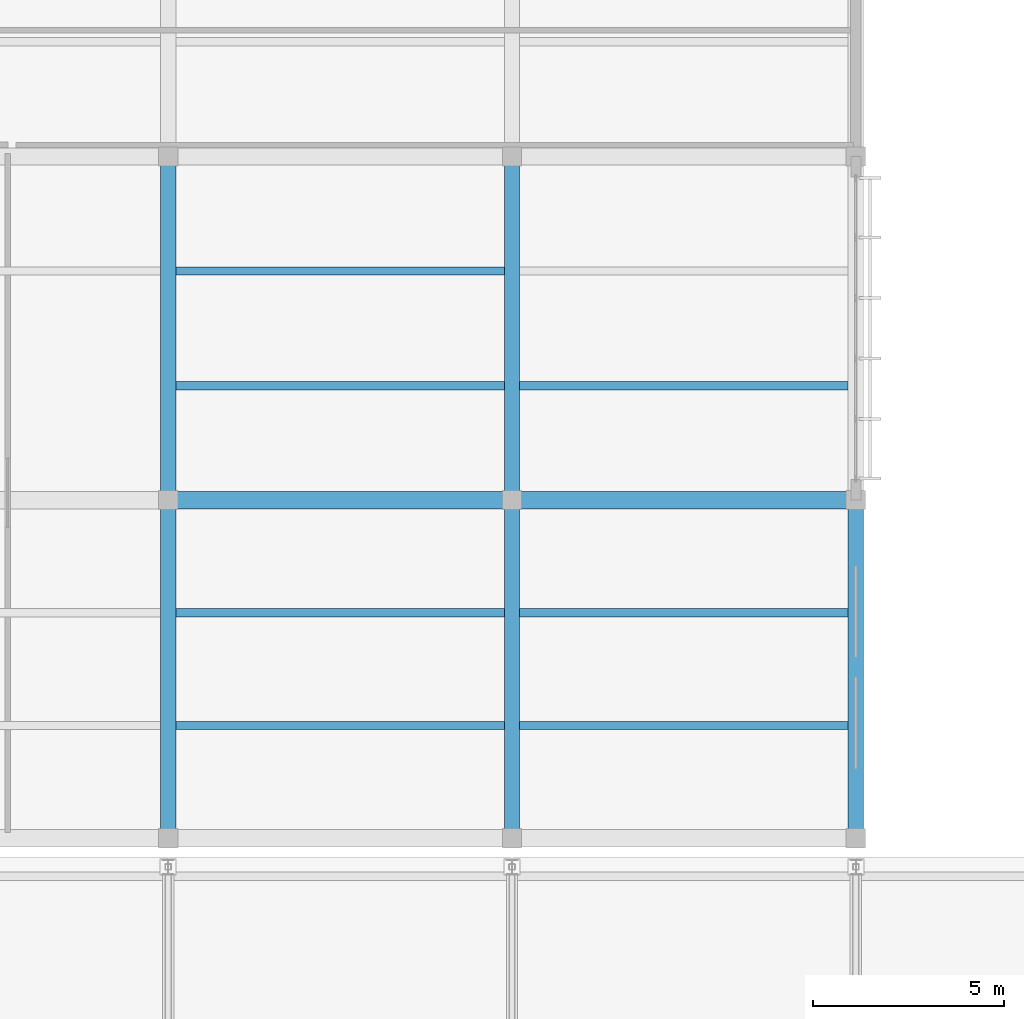
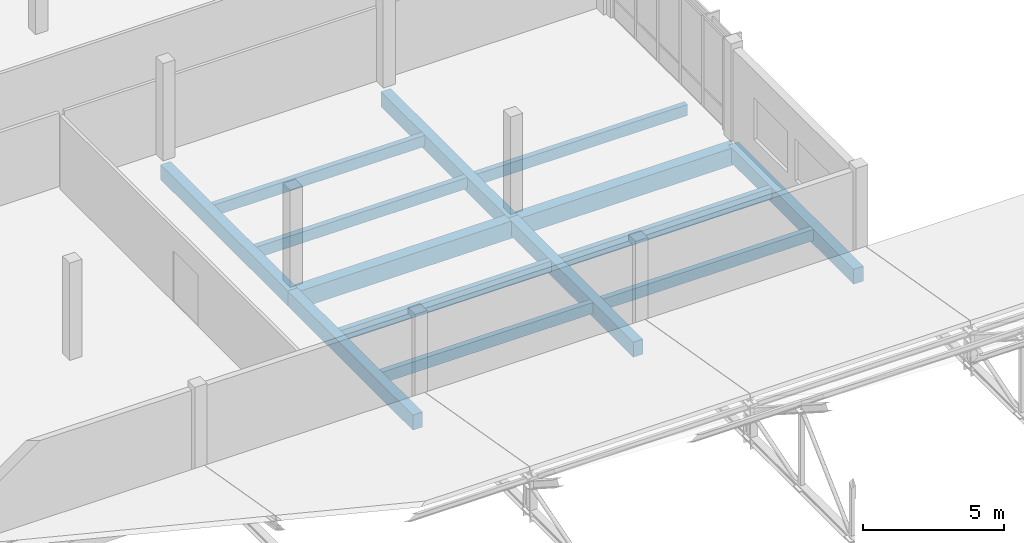
# One storey, part 120 of 182: 14 beams.
"""IFC4 building model written with IfcOpenShell, lengths in metres."""

from ifc_helpers import new_model, si_unit, direction, frame, origin, origin_2d, place, context, subcontext, project, spatial, rectangle, extrude, material, material_profile, profile_set, type_object, element, save


model = new_model("IFC4")

# Units and contexts
model_context = context("Model", 3, precision=1e-05, world=origin(), true_north=direction((0.0, 1.0)))
body_context = subcontext(model_context, "Body", "Model", "MODEL_VIEW")
ifc_project = project(units=[si_unit("LENGTHUNIT", "METRE"), si_unit("AREAUNIT", "SQUARE_METRE"), si_unit("VOLUMEUNIT", "CUBIC_METRE"), si_unit("PLANEANGLEUNIT", "RADIAN"), si_unit("MASSUNIT", "GRAM", prefix="KILO")], contexts=[model_context])

# Site, building, storey
site_placement = place(None, origin())
site = spatial("IfcSite", under=ifc_project, at=site_placement, CompositionType="ELEMENT")
building_placement = place(site_placement, origin())
building = spatial("IfcBuilding", under=site, at=building_placement, Name="Chiffa Square Polytechnic", CompositionType="ELEMENT")
storey_placement = place(building_placement, frame((0.0, 0.0, 9.60009765625)))
storey = spatial("IfcBuildingStorey", under=building, at=storey_placement, Name="L02", CompositionType="ELEMENT", Elevation=9.60009765625)

# Beams
ifc_material_1 = material(Name="Concrete C35/45", Category="concrete")
ifc_material_profile_1 = material_profile(ifc_material_1, rectangle(XDim=0.39990234375, YDim=0.64990234375, at=origin_2d()), Name="RC 400x650")
ifc_profile_set_1 = profile_set([ifc_material_profile_1], Name="Concrete C35/45")
beam_type_1 = type_object("IfcBeamType", Name="BM-RC-400X650", PredefinedType="BEAM", material=ifc_profile_set_1)
beam_1_placement = place(storey_placement, frame((130.199951171875, 94.949951171875, -0.64501953125), z_axis=(0.0, 1.0, 0.0), x_axis=(-1.0, 0.0, 0.0)))
element("IfcBeam", 1, at=beam_1_placement, inside=storey, type_object=beam_type_1, Name="Primary floor girder BM-V5-L02-Y-1302-0950", PredefinedType="BEAM", context=body_context, shape_type="SweptSolid", body=[
    extrude(rectangle(XDim=0.39990234375, YDim=0.64990234375, at=origin_2d()), origin(), (0.0, 0.0, 1.0), 8.85009765625),
])
beam_2_placement = place(storey_placement, frame((130.199951171875, 103.800048828125, -0.64501953125), z_axis=(0.0, 1.0, 0.0), x_axis=(-1.0, 0.0, 0.0)))
element("IfcBeam", 2, at=beam_2_placement, inside=storey, type_object=beam_type_1, Name="Primary floor girder BM-V5-L02-Y-1302-1038", PredefinedType="BEAM", context=body_context, shape_type="SweptSolid", body=[
    extrude(rectangle(XDim=0.39990234375, YDim=0.64990234375, at=origin_2d()), origin(), (0.0, 0.0, 1.0), 9.0),
])
beam_3_placement = place(storey_placement, frame((139.199951171875, 94.949951171875, -0.64501953125), z_axis=(0.0, 1.0, 0.0), x_axis=(-1.0, 0.0, 0.0)))
element("IfcBeam", 3, at=beam_3_placement, inside=storey, type_object=beam_type_1, Name="Primary floor girder BM-V5-L02-Y-1392-0950", PredefinedType="BEAM", context=body_context, shape_type="SweptSolid", body=[
    extrude(rectangle(XDim=0.39990234375, YDim=0.64990234375, at=origin_2d()), origin(), (0.0, 0.0, 1.0), 8.85009765625),
])
beam_4_placement = place(storey_placement, frame((139.199951171875, 103.800048828125, -0.64501953125), z_axis=(0.0, 1.0, 0.0), x_axis=(-1.0, 0.0, 0.0)))
element("IfcBeam", 4, at=beam_4_placement, inside=storey, type_object=beam_type_1, Name="Primary floor girder BM-V5-L02-Y-1392-1038", PredefinedType="BEAM", context=body_context, shape_type="SweptSolid", body=[
    extrude(rectangle(XDim=0.39990234375, YDim=0.64990234375, at=origin_2d()), origin(), (0.0, 0.0, 1.0), 9.0),
])
beam_5_placement = place(storey_placement, frame((148.199951171875, 94.949951171875, -0.64501953125), z_axis=(0.0, 1.0, 0.0), x_axis=(-1.0, 0.0, 0.0)))
element("IfcBeam", 5, at=beam_5_placement, inside=storey, type_object=beam_type_1, Name="Primary floor girder BM-V5-L02-Y-1482-0950", PredefinedType="BEAM", context=body_context, shape_type="SweptSolid", body=[
    extrude(rectangle(XDim=0.39990234375, YDim=0.64990234375, at=origin_2d()), origin(), (0.0, 0.0, 1.0), 8.85009765625),
])
ifc_material_profile_2 = material_profile(ifc_material_1, rectangle(XDim=0.449951171875, YDim=0.75, at=origin_2d()), Name="RC 450x750")
ifc_profile_set_2 = profile_set([ifc_material_profile_2], Name="Concrete C35/45")
beam_type_2 = type_object("IfcBeamType", Name="BM-RC-450X750", PredefinedType="BEAM", material=ifc_profile_set_2)
for number, where, z_axis, x_axis, name in (
    (6, (130.199951171875, 103.800048828125, -0.695068359375), (1.0, 0.0, 0.0), (0.0, 1.0, 0.0), "Primary floor girder BM-V5-L02-X-1302-1038"),
    (7, (139.199951171875, 103.800048828125, -0.695068359375), (1.0, 0.0, 0.0), (0.0, 1.0, 0.0), "Primary floor girder BM-V5-L02-X-1392-1038"),
):
    element("IfcBeam", number, at=place(storey_placement, frame(where, z_axis=z_axis, x_axis=x_axis)), inside=storey, type_object=beam_type_2, Name=name, PredefinedType="BEAM", context=body_context, shape_type="SweptSolid", body=[
        extrude(rectangle(XDim=0.449951171875, YDim=0.75, at=origin_2d()), origin(), (0.0, 0.0, 1.0), 9.0),
    ])
ifc_material_2 = material(Name="Glulam GL28h", Category="wood")
ifc_material_profile_3 = material_profile(ifc_material_2, rectangle(XDim=0.219970703125, YDim=0.47998046875, at=origin_2d()), Name="GL28h 220x480")
ifc_profile_set_3 = profile_set([ifc_material_profile_3], Name="Glulam GL28h")
beam_type_3 = type_object("IfcBeamType", Name="JST-GL-220X480", PredefinedType="JOIST", material=ifc_profile_set_3)
for number, where, z_axis, x_axis, name in (
    (8, (130.39794921875, 97.89990234375, -0.56005859375), (1.0, 0.0, 0.0), (0.0, 1.0, 0.0), "Secondary floor joist JST-V5-L02-1302-0979"),
    (9, (130.39794921875, 100.85009765625, -0.56005859375), (1.0, 0.0, 0.0), (0.0, 1.0, 0.0), "Secondary floor joist JST-V5-L02-1302-1008"),
    (10, (130.39794921875, 106.800048828125, -0.56005859375), (1.0, 0.0, 0.0), (0.0, 1.0, 0.0), "Secondary floor joist JST-V5-L02-1302-1068"),
    (11, (130.39794921875, 109.800048828125, -0.56005859375), (1.0, 0.0, 0.0), (0.0, 1.0, 0.0), "Secondary floor joist JST-V5-L02-1302-1098"),
    (12, (139.39794921875, 97.89990234375, -0.56005859375), (1.0, 0.0, 0.0), (0.0, 1.0, 0.0), "Secondary floor joist JST-V5-L02-1392-0979"),
    (13, (139.39794921875, 100.85009765625, -0.56005859375), (1.0, 0.0, 0.0), (0.0, 1.0, 0.0), "Secondary floor joist JST-V5-L02-1392-1008"),
    (14, (139.39794921875, 106.800048828125, -0.56005859375), (1.0, 0.0, 0.0), (0.0, 1.0, 0.0), "Secondary floor joist JST-V5-L02-1392-1068"),
):
    element("IfcBeam", number, at=place(storey_placement, frame(where, z_axis=z_axis, x_axis=x_axis)), inside=storey, type_object=beam_type_3, Name=name, PredefinedType="JOIST", context=body_context, shape_type="SweptSolid", body=[
        extrude(rectangle(XDim=0.219970703125, YDim=0.47998046875, at=origin_2d()), origin(), (0.0, 0.0, 1.0), 8.60400390625),
    ])

save(model, "model.ifc")
